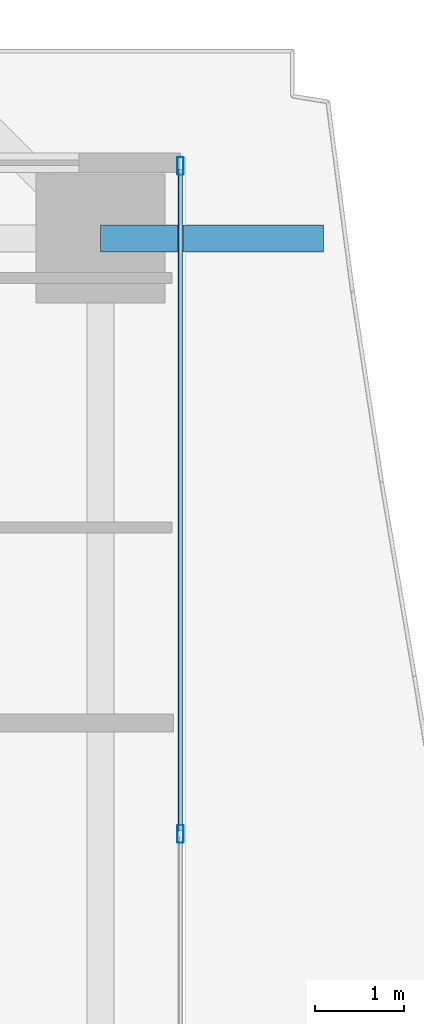
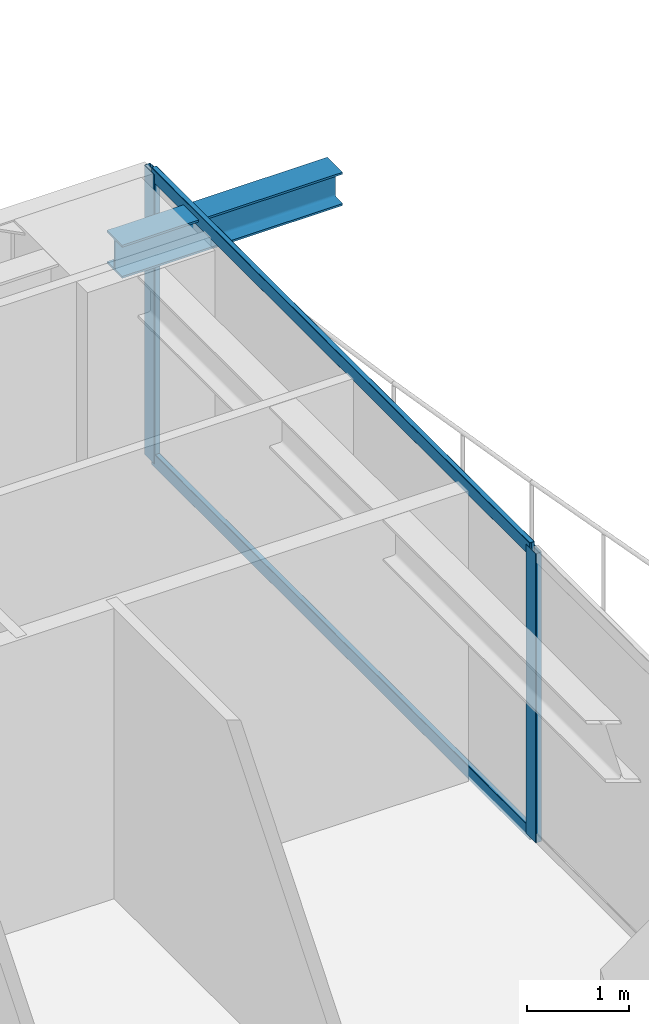
# One storey, part 23 of 38: 4 members, 1 beam, 1 element without a shape of its own.
"""IFC4 building model written with IfcOpenShell, lengths in metres."""

from ifc_helpers import new_model, si_unit, direction, frame, origin, origin_2d, place, context, subcontext, project, spatial, hollow_rectangle, i_section, extrude, source, transform, mapped, material, layer, layer_set, material_profile, profile_set, type_object, element, aggregate, save


model = new_model("IFC4")

# Units and contexts
model_context = context("Model", 3, precision=1e-05, world=origin(), true_north=direction((0.0, 1.0)))
body_context = subcontext(model_context, "Body", "Model", "MODEL_VIEW")
ifc_project = project(units=[si_unit("LENGTHUNIT", "METRE"), si_unit("AREAUNIT", "SQUARE_METRE"), si_unit("VOLUMEUNIT", "CUBIC_METRE"), si_unit("PLANEANGLEUNIT", "RADIAN"), si_unit("MASSUNIT", "GRAM", prefix="KILO")], contexts=[model_context])

# Site, building, storey
site_placement = place(None, origin())
site = spatial("IfcSite", under=ifc_project, at=site_placement, CompositionType="ELEMENT")
building_placement = place(site_placement, origin())
building = spatial("IfcBuilding", under=site, at=building_placement, Name="Serunith Strait Residences", CompositionType="ELEMENT")
storey_placement = place(building_placement, frame((0.0, 0.0, 30.449951171875)))
storey = spatial("IfcBuildingStorey", under=building, at=storey_placement, Name="L06", CompositionType="ELEMENT", Elevation=30.449951171875)

# Beam
ifc_material_1 = material(Name="Steel S355J2", Category="steel")
ifc_material_profile_1 = material_profile(ifc_material_1, i_section(OverallWidth=0.300048828125, OverallDepth=0.39990234375, WebThickness=0.013427734375, FlangeThickness=0.02392578125, FilletRadius=0.027099609375, at=origin_2d()), Name="HEB 400")
ifc_profile_set_1 = profile_set([ifc_material_profile_1], Name="Steel S355J2")
beam_type = type_object("IfcBeamType", Name="BM-HEB400", PredefinedType="BEAM", material=ifc_profile_set_1)
shared_shape_1 = source(origin(), body_context, "Body", "SweptSolid", [
    extrude(i_section(OverallWidth=0.300048828125, OverallDepth=0.39990234375, WebThickness=0.013427734375, FlangeThickness=0.02392578125, FilletRadius=0.027099609375, at=origin_2d()), origin(), (0.0, 0.0, 1.0), 2.5078125),
])
beam_placement = place(storey_placement, frame((57.89990234375, 40.949951171875, 3.257080078125), z_axis=(1.0, 0.0, 0.0), x_axis=(0.0, 1.0, 0.0)))
element("IfcBeam", 1, at=beam_placement, inside=storey, type_object=beam_type, Name="L07 Cantilevered Balcony Rib TC-E4", PredefinedType="BEAM", context=body_context, shape_type="MappedRepresentation", body=[
    mapped(shared_shape_1, transform((0.0, 0.0, 0.0), scale=1.0)),
])

# Curtain wall, members
ifc_material_2 = material(Name="Pale-Champagne Anodised Aluminium", Category="aluminium")
ifc_layer = layer(ifc_material_2, 0.199951171875, Name="Pale-Champagne Anodised Aluminium")
ifc_layer_set = layer_set([ifc_layer], Name="Pale-Champagne Anodised Aluminium")
curtain_wall_type = type_object("IfcCurtainWallType", Name="CW-SYS1", PredefinedType="NOTDEFINED", material=ifc_layer_set)
curtain_wall_placement = place(storey_placement, origin())
curtain_wall = element("IfcCurtainWall", 2, at=curtain_wall_placement, inside=storey, type_object=curtain_wall_type, Name="L06 E Unitised Fritted Curtain Wall", PredefinedType="NOTDEFINED")
ifc_material_profile_2 = material_profile(ifc_material_2, hollow_rectangle(XDim=0.070068359375, YDim=0.199951171875, WallThickness=0.00390625, InnerFilletRadius=0.006103515625, OuterFilletRadius=0.010009765625, at=origin_2d()), Name="ALU 200x70x4")
ifc_profile_set_2 = profile_set([ifc_material_profile_2], Name="Pale-Champagne Anodised Aluminium")
member_type_1 = type_object("IfcMemberType", Name="CW-SYS1-MULL", PredefinedType="MULLION", material=ifc_profile_set_2)
shared_shape_2 = source(origin(), body_context, "Body", "SweptSolid", [
    extrude(hollow_rectangle(XDim=0.070068359375, YDim=0.199951171875, WallThickness=0.00390625, InnerFilletRadius=0.006103515625, OuterFilletRadius=0.010009765625, at=origin_2d()), origin(), (0.0, 0.0, 1.0), 3.47509765625),
])
member_1_placement = place(storey_placement, frame((58.800048828125, 34.25, 0.0), z_axis=(0.0, 0.0, 1.0), x_axis=(-1.0, 0.0, 0.0)))
member_1 = element("IfcMember", 3, at=member_1_placement, type_object=member_type_1, Name="CW-1 mullion 2", PredefinedType="MULLION", context=body_context, shape_type="MappedRepresentation", body=[
    mapped(shared_shape_2, transform((0.0, 0.0, 0.0), scale=1.0)),
])
member_2_placement = place(storey_placement, frame((58.800048828125, 41.764892578125, 0.0), z_axis=(0.0, 0.0, 1.0), x_axis=(-1.0, 0.0, 0.0)))
member_2 = element("IfcMember", 4, at=member_2_placement, type_object=member_type_1, Name="CW-1 mullion 3", PredefinedType="MULLION", context=body_context, shape_type="MappedRepresentation", body=[
    mapped(shared_shape_2, transform((0.0, 0.0, 0.0), scale=1.0)),
])
ifc_material_profile_3 = material_profile(ifc_material_2, hollow_rectangle(XDim=0.06005859375, YDim=0.159912109375, WallThickness=0.00341796875, InnerFilletRadius=0.00537109375, OuterFilletRadius=0.0087890625, at=origin_2d()), Name="ALU 160x60x3.5")
ifc_profile_set_3 = profile_set([ifc_material_profile_3], Name="Pale-Champagne Anodised Aluminium")
member_type_2 = type_object("IfcMemberType", Name="CW-SYS1-TRAN", PredefinedType="USERDEFINED", material=ifc_profile_set_3)
shared_shape_3 = source(origin(), body_context, "Body", "SweptSolid", [
    extrude(hollow_rectangle(XDim=0.06005859375, YDim=0.159912109375, WallThickness=0.00341796875, InnerFilletRadius=0.00537109375, OuterFilletRadius=0.0087890625, at=origin_2d()), origin(), (0.0, 0.0, 1.0), 7.445068359375),
])
member_3_placement = place(storey_placement, frame((58.800048828125, 34.284912109375, 0.030029296875), z_axis=(0.0, 1.0, 0.0), x_axis=(-1.0, 0.0, 0.0)))
member_3 = element("IfcMember", 5, at=member_3_placement, type_object=member_type_2, Name="CW-1 transom 2.1", ObjectType="TRANSOM", PredefinedType="USERDEFINED", context=body_context, shape_type="MappedRepresentation", body=[
    mapped(shared_shape_3, transform((0.0, 0.0, 0.0), scale=1.0)),
])
member_4_placement = place(storey_placement, frame((58.800048828125, 34.284912109375, 3.445068359375), z_axis=(0.0, 1.0, 0.0), x_axis=(-1.0, 0.0, 0.0)))
member_4 = element("IfcMember", 6, at=member_4_placement, type_object=member_type_2, Name="CW-1 transom 2.2", ObjectType="TRANSOM", PredefinedType="USERDEFINED", context=body_context, shape_type="MappedRepresentation", body=[
    mapped(shared_shape_3, transform((0.0, 0.0, 0.0), scale=1.0)),
])
aggregate(curtain_wall, [member_1, member_2, member_3, member_4])

save(model, "model.ifc")
